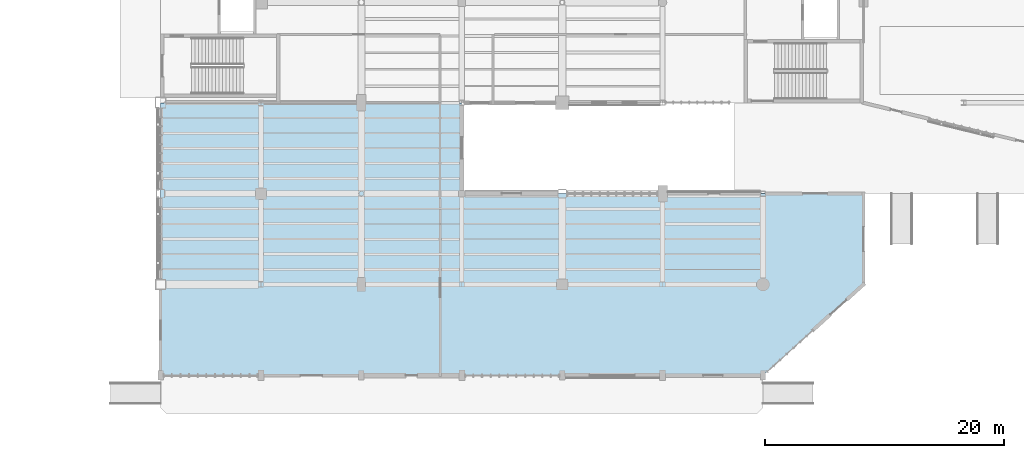
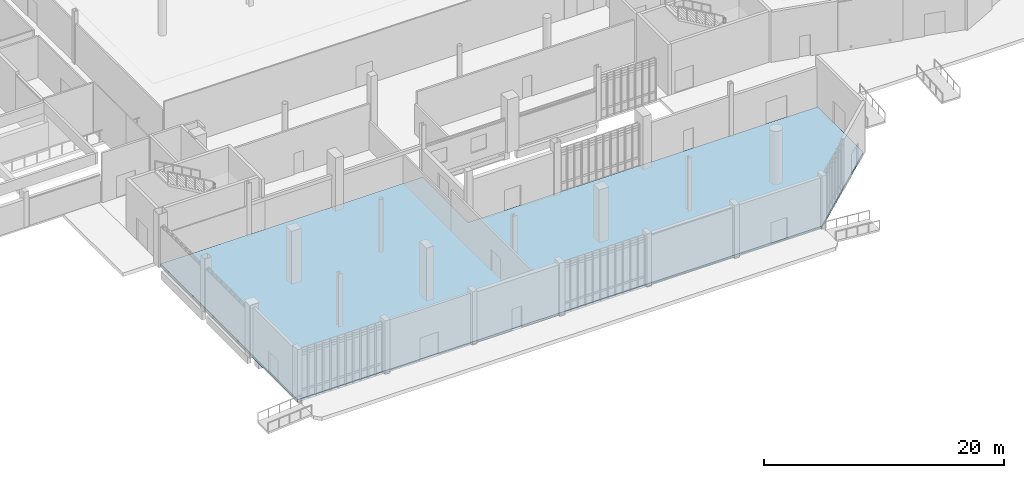
# One storey, part 53 of 111: 1 slab.
"""IFC4 building model written with IfcOpenShell, lengths in metres."""

from ifc_helpers import new_model, si_unit, direction, frame, origin, place, context, subcontext, project, spatial, polyline, outline, extrude, material, layer, layer_set, type_object, element, save


model = new_model("IFC4")

# Units and contexts
model_context = context("Model", 3, precision=1e-05, world=origin(), true_north=direction((0.0, 1.0)))
body_context = subcontext(model_context, "Body", "Model", "MODEL_VIEW")
ifc_project = project(units=[si_unit("LENGTHUNIT", "METRE"), si_unit("AREAUNIT", "SQUARE_METRE"), si_unit("VOLUMEUNIT", "CUBIC_METRE"), si_unit("PLANEANGLEUNIT", "RADIAN"), si_unit("MASSUNIT", "GRAM", prefix="KILO")], contexts=[model_context])

# Site, building, storey
site_placement = place(None, origin())
site = spatial("IfcSite", under=ifc_project, at=site_placement, CompositionType="ELEMENT")
building_placement = place(site_placement, origin())
building = spatial("IfcBuilding", under=site, at=building_placement, Name="Larkvane Passage Sports Hall", CompositionType="ELEMENT")
storey_placement = place(building_placement, origin())
storey = spatial("IfcBuildingStorey", under=building, at=storey_placement, Name="L00", CompositionType="ELEMENT", Elevation=0.0)

# Slab
ifc_material = material(Name="Concrete C40/50", Category="concrete")
ifc_layer = layer(ifc_material, 0.25)
ifc_layer_set = layer_set([ifc_layer], Name="Concrete C40/50")
slab_type = type_object("IfcSlabType", Name="SLB-FLR-250", PredefinedType="FLOOR", material=ifc_layer_set)
slab_placement = place(storey_placement, frame((0.0, 0.0, -0.25)))
element("IfcSlab", 1, at=slab_placement, inside=storey, type_object=slab_type, Name="Structural floor slab SLAB-L00-V6", PredefinedType="FLOOR", context=body_context, shape_type="SweptSolid", body=[
    extrude(outline(polyline([(34.800048828125, 0.0), (85.199951171875, 0.0), (93.60009765625, 7.60009765625), (93.60009765625, 15.199951171875), (60.0, 15.199951171875), (60.0, 22.800048828125), (34.800048828125, 22.800048828125), (34.800048828125, 0.0)])), origin(), (0.0, 0.0, 1.0), 0.25),
])

save(model, "model.ifc")
